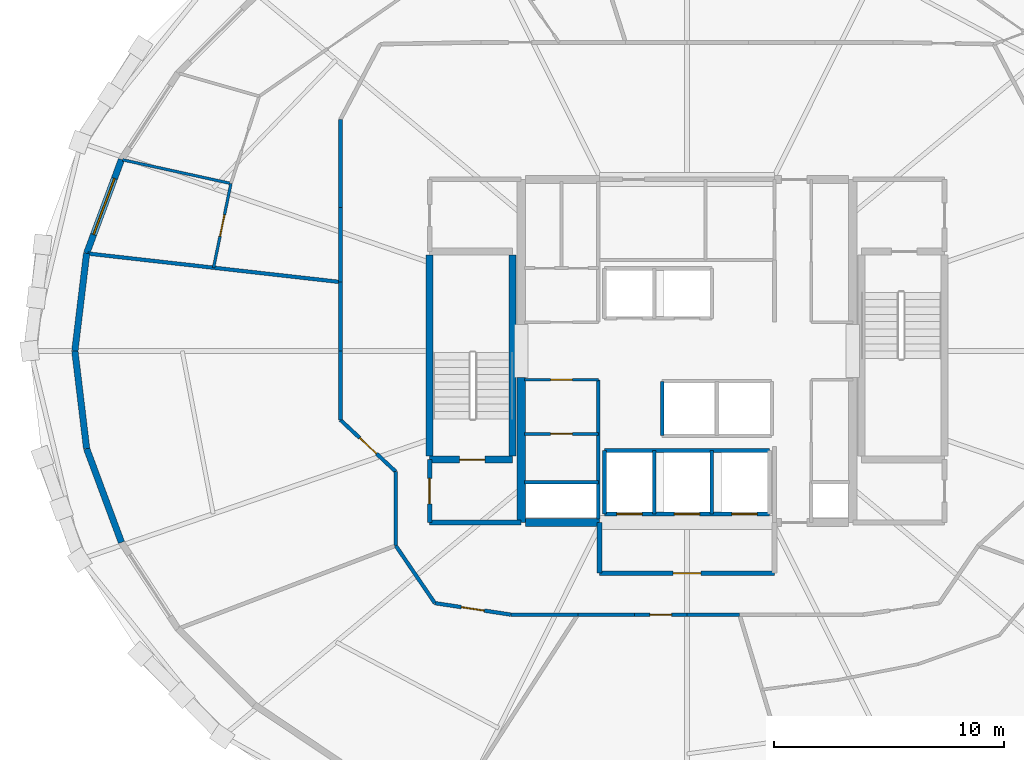
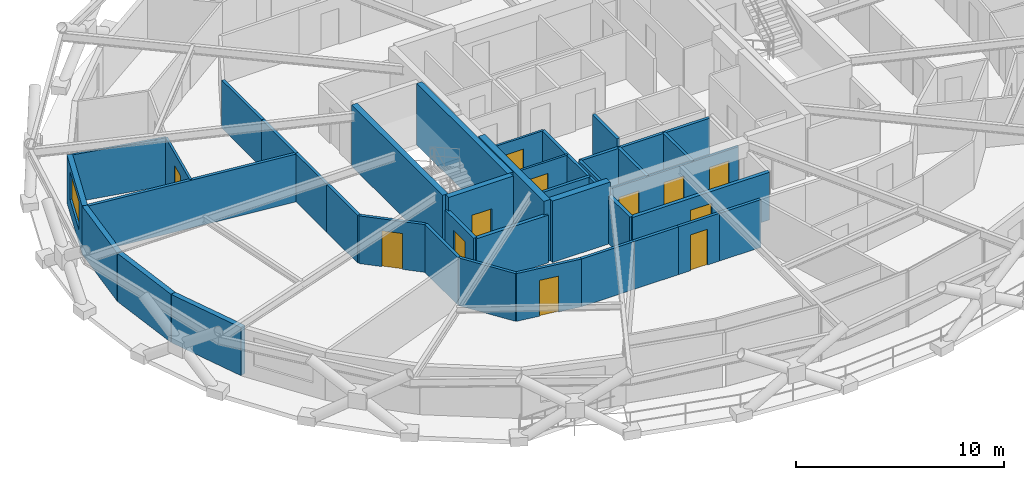
# One storey, part 13 of 20: 38 walls, 12 doors, 1 window, 13 openings.
"""IFC4 building model written with IfcOpenShell, lengths in metres."""

from ifc_helpers import new_model, si_unit, direction, frame, frame_2d, origin, place, context, subcontext, project, spatial, rectangle, extrude, material, layer, layer_set, type_object, element, fill, save


model = new_model("IFC4")

# Units and contexts
model_context = context("Model", 3, precision=1e-05, world=origin(), true_north=direction((0.0, 1.0)))
body_context = subcontext(model_context, "Body", "Model", "MODEL_VIEW")
ifc_project = project(units=[si_unit("LENGTHUNIT", "METRE"), si_unit("AREAUNIT", "SQUARE_METRE"), si_unit("VOLUMEUNIT", "CUBIC_METRE"), si_unit("PLANEANGLEUNIT", "RADIAN"), si_unit("MASSUNIT", "GRAM", prefix="KILO")], contexts=[model_context])

# Site, building, storey
site_placement = place(None, origin())
site = spatial("IfcSite", under=ifc_project, at=site_placement, CompositionType="ELEMENT")
building_placement = place(site_placement, origin())
building = spatial("IfcBuilding", under=site, at=building_placement, Name="Veldorina Hangang Commons", CompositionType="ELEMENT")
storey_placement = place(building_placement, frame((0.0, 0.0, 131.60009765625)))
storey = spatial("IfcBuildingStorey", under=building, at=storey_placement, Name="L33", CompositionType="ELEMENT", Elevation=131.60009765625)

# Walls
ifc_material_1 = material(Name="Concrete C60/75", Category="concrete")
ifc_layer_1 = layer(ifc_material_1, 0.360107421875)
ifc_layer_set_1 = layer_set([ifc_layer_1], Name="Concrete C60/75")
wall_type_1 = type_object("IfcWallType", Name="CW-RC360-C60", PredefinedType="SHEAR", material=ifc_layer_set_1)
wall_1_placement = place(storey_placement, frame((24.800048828125, 16.550048828125, 0.0), z_axis=(0.0, 0.0, 1.0), x_axis=(0.0, 1.0, 0.0)))
element("IfcWall", 1, at=wall_1_placement, inside=storey, type_object=wall_type_1, Name="L33 W south core shear wall", PredefinedType="SHEAR", context=body_context, shape_type="SweptSolid", body=[
    extrude(rectangle(XDim=6.300048828125, YDim=0.360107421875, at=frame_2d((3.14990234375, 0.0))), origin(), (0.0, 0.0, 1.0), 3.599853515625),
])
wall_2_placement = place(storey_placement, frame((24.97998046875, 16.550048828125, 0.0), z_axis=(0.0, 0.0, 1.0), x_axis=(1.0, 0.0, 0.0)))
element("IfcWall", 2, at=wall_2_placement, inside=storey, type_object=wall_type_1, Name="L33 south-west core shear wall", PredefinedType="SHEAR", context=body_context, shape_type="SweptSolid", body=[
    extrude(rectangle(XDim=3.219970703125, YDim=0.360107421875, at=frame_2d((1.60986328125, 0.0))), origin(), (0.0, 0.0, 1.0), 3.599853515625),
])

# Wall, opening, window
ifc_material_2 = material(Name="Stone Roman Travertine", Category="masonry")
ifc_layer_2 = layer(ifc_material_2, 0.280029296875)
ifc_layer_set_2 = layer_set([ifc_layer_2], Name="Stone Roman Travertine")
wall_type_2 = type_object("IfcWallType", Name="EW-TRAV-280", PredefinedType="STANDARD", material=ifc_layer_set_2)
wall_3_placement = place(storey_placement, frame((7.43994140625, 32.31201171875, 0.0), z_axis=(0.0, 0.0, 1.0), x_axis=(-0.348099086438, -0.937457746259, 0.0)))
wall_3 = element("IfcWall", 3, at=wall_3_placement, inside=storey, type_object=wall_type_2, Name="L33 travertine facade wall 14", PredefinedType="STANDARD", context=body_context, shape_type="SweptSolid", body=[
    extrude(rectangle(XDim=4.34619140625, YDim=0.280029296875, at=frame_2d((2.173095703125, 0.0))), origin(), (0.0, 0.0, 1.0), 2.81982421875),
])
opening_1_placement = place(wall_3_placement, frame((0.873291015625, 0.0, 0.800048828125)))
opening_1 = element("IfcOpeningElement", 4, at=opening_1_placement, cuts=wall_3, Name="Opening W-02", PredefinedType="OPENING", context=body_context, shape_type="SweptSolid", body=[
    extrude(rectangle(XDim=2.60009765625, YDim=1.64990234375, at=frame_2d((1.300048828125, 0.824951171875))), frame((0.0, 0.14990234375, 0.0), z_axis=(0.0, -1.0, 0.0), x_axis=(1.0, 0.0, 0.0)), (0.0, 0.0, 1.0), 0.300048828125),
])
ifc_material_3 = material(Name="Glass Low-E Triple IGU", Category="glass")
window_type = type_object("IfcWindowType", Name="WIN-TWR-2600", PartitioningType="SINGLE_PANEL", PredefinedType="WINDOW", material=ifc_material_3)
window_placement = place(opening_1_placement, origin())
window = element("IfcWindow", 5, at=window_placement, inside=storey, type_object=window_type, Name="L33 facade window 14", OverallHeight=1.64990234375, OverallWidth=2.60009765625, PartitioningType="SINGLE_PANEL", PredefinedType="WINDOW", context=body_context, shape_type="SweptSolid", body=[
    extrude(rectangle(XDim=2.60009765625, YDim=1.64990234375, at=frame_2d((1.300048828125, 0.824951171875))), frame((0.0, 0.030029296875, 0.0), z_axis=(0.0, -1.0, 0.0), x_axis=(1.0, 0.0, 0.0)), (0.0, 0.0, 1.0), 0.06005859375),
])
fill(opening_1, window)

# Walls
for number, where, z_axis, x_axis, name in (
    (6, (5.927001953125, 28.237548828125, 0.0), (0.0, 0.0, 1.0), (-0.119661715739, -0.992814722789, 0.0), "L33 travertine facade wall 15"),
    (7, (5.416259765625, 24.0, 0.0), (0.0, 0.0, 1.0), (0.119661715739, -0.992814722789, 0.0), "L33 travertine facade wall 16"),
):
    element("IfcWall", number, at=place(storey_placement, frame(where, z_axis=z_axis, x_axis=x_axis)), inside=storey, type_object=wall_type_2, Name=name, PredefinedType="STANDARD", context=body_context, shape_type="SweptSolid", body=[
        extrude(rectangle(XDim=4.268310546875, YDim=0.280029296875, at=frame_2d((2.13427734375, 0.0))), origin(), (0.0, 0.0, 1.0), 2.81982421875),
    ])
wall_4_placement = place(storey_placement, frame((5.927001953125, 19.762451171875, 0.0), z_axis=(0.0, 0.0, 1.0), x_axis=(0.348099086438, -0.937457746259, 0.0)))
element("IfcWall", 8, at=wall_4_placement, inside=storey, type_object=wall_type_2, Name="L33 travertine facade wall 17", PredefinedType="STANDARD", context=body_context, shape_type="SweptSolid", body=[
    extrude(rectangle(XDim=4.34619140625, YDim=0.280029296875, at=frame_2d((2.173095703125, 0.0))), origin(), (0.0, 0.0, 1.0), 2.81982421875),
])
ifc_material_4 = material(Name="Concrete C50/60", Category="concrete")
ifc_layer_3 = layer(ifc_material_4, 0.300048828125)
ifc_layer_set_3 = layer_set([ifc_layer_3], Name="Concrete C50/60")
wall_type_3 = type_object("IfcWallType", Name="SW-STAIR-300", PredefinedType="SHEAR", material=ifc_layer_set_3)
for number, where, z_axis, x_axis, name in (
    (9, (20.820068359375, 19.429931640625, 0.0), (0.0, 0.0, 1.0), (0.0, 1.0, 0.0), "L33 ST1 outer stair shear wall"),
    (10, (24.419921875, 19.429931640625, 0.0), (0.0, 0.0, 1.0), (0.0, 1.0, 0.0), "L33 ST1 inner stair shear wall"),
):
    element("IfcWall", number, at=place(storey_placement, frame(where, z_axis=z_axis, x_axis=x_axis)), inside=storey, type_object=wall_type_3, Name=name, PredefinedType="SHEAR", context=body_context, shape_type="SweptSolid", body=[
        extrude(rectangle(XDim=8.739990234375, YDim=0.300048828125, at=frame_2d((4.3701171875, 0.0))), origin(), (0.0, 0.0, 1.0), 3.599853515625),
    ])

# Wall, opening, door
wall_5_placement = place(storey_placement, frame((20.820068359375, 19.280029296875, 0.0), z_axis=(0.0, 0.0, 1.0), x_axis=(1.0, 0.0, 0.0)))
wall_5 = element("IfcWall", 11, at=wall_5_placement, inside=storey, type_object=wall_type_3, Name="L33 ST1 south stair shear wall", PredefinedType="SHEAR", context=body_context, shape_type="SweptSolid", body=[
    extrude(rectangle(XDim=3.599853515625, YDim=0.300048828125, at=frame_2d((1.7998046875, 0.0))), origin(), (0.0, 0.0, 1.0), 3.599853515625),
])
opening_2_placement = place(wall_5_placement, frame((1.300048828125, 0.0, 0.0)))
opening_2 = element("IfcOpeningElement", 12, at=opening_2_placement, cuts=wall_5, Name="Opening D-08", PredefinedType="OPENING", context=body_context, shape_type="SweptSolid", body=[
    extrude(rectangle(XDim=1.10009765625, YDim=2.10009765625, at=frame_2d((0.550048828125, 1.050048828125))), frame((0.0, 0.16015625, 0.0), z_axis=(0.0, -1.0, 0.0), x_axis=(1.0, 0.0, 0.0)), (0.0, 0.0, 1.0), 0.320068359375),
])
ifc_material_5 = material(Name="Steel Fire-Rated Smoke Seal", Category="steel")
door_type_1 = type_object("IfcDoorType", Name="DR-FIRE-1100", OperationType="SINGLE_SWING_RIGHT", PredefinedType="DOOR", material=ifc_material_5)
door_1_placement = place(opening_2_placement, origin())
door_1 = element("IfcDoor", 13, at=door_1_placement, inside=storey, type_object=door_type_1, Name="L33 Special Escape Stair ST-1 door", OperationType="SINGLE_SWING_LEFT", OverallHeight=2.10009765625, OverallWidth=1.10009765625, PredefinedType="DOOR", context=body_context, shape_type="SweptSolid", body=[
    extrude(rectangle(XDim=1.10009765625, YDim=2.10009765625, at=frame_2d((0.550048828125, 1.050048828125))), frame((0.0, 0.02490234375, 0.0), z_axis=(0.0, -1.0, 0.0), x_axis=(1.0, 0.0, 0.0)), (0.0, 0.0, 1.0), 0.050048828125),
])
fill(opening_2, door_1)

# Wall
ifc_material_6 = material(Name="Gypsum Fire-Rated Twin Stud Wall", Category="gypsum")
ifc_layer_4 = layer(ifc_material_6, 0.159912109375)
ifc_layer_set_4 = layer_set([ifc_layer_4], Name="Gypsum Fire-Rated Twin Stud Wall")
wall_type_4 = type_object("IfcWallType", Name="WL-FIRE-160", PredefinedType="SOLIDWALL", material=ifc_layer_set_4)
wall_6_placement = place(storey_placement, frame((30.919921875, 20.320068359375, 0.0), z_axis=(0.0, 0.0, 1.0), x_axis=(0.0, 1.0, 0.0)))
element("IfcWall", 14, at=wall_6_placement, inside=storey, type_object=wall_type_4, Name="L33 SL-1 west shaft wall 022", PredefinedType="SOLIDWALL", context=body_context, shape_type="SweptSolid", body=[
    extrude(rectangle(XDim=2.35986328125, YDim=0.159912109375, at=frame_2d((1.179931640625, 0.0))), origin(), (0.0, 0.0, 1.0), 2.7998046875),
])

# Wall, openings, doors
wall_7_placement = place(storey_placement, frame((28.419921875, 16.919921875, 0.0), z_axis=(0.0, 0.0, 1.0), x_axis=(1.0, 0.0, 0.0)))
wall_7 = element("IfcWall", 15, at=wall_7_placement, inside=storey, type_object=wall_type_4, Name="L33 Emergency front shaft wall 025", PredefinedType="SOLIDWALL", context=body_context, shape_type="SweptSolid", body=[
    extrude(rectangle(XDim=7.16015625, YDim=0.159912109375, at=frame_2d((3.580078125, 0.0))), origin(), (0.0, 0.0, 1.0), 2.7998046875),
])
opening_3_placement = place(wall_7_placement, frame((0.530029296875, 0.0, 0.0)))
opening_3 = element("IfcOpeningElement", 16, at=opening_3_placement, cuts=wall_7, Name="Opening LD-03", PredefinedType="OPENING", context=body_context, shape_type="SweptSolid", body=[
    extrude(rectangle(XDim=1.10009765625, YDim=2.14990234375, at=frame_2d((0.550048828125, 1.074951171875))), frame((0.0, 0.08984375, 0.0), z_axis=(0.0, -1.0, 0.0), x_axis=(1.0, 0.0, 0.0)), (0.0, 0.0, 1.0), 0.179931640625),
])
opening_4_placement = place(wall_7_placement, frame((3.030029296875, 0.0, 0.0)))
opening_4 = element("IfcOpeningElement", 17, at=opening_4_placement, cuts=wall_7, Name="Opening LD-03", PredefinedType="OPENING", context=body_context, shape_type="SweptSolid", body=[
    extrude(rectangle(XDim=1.10009765625, YDim=2.14990234375, at=frame_2d((0.550048828125, 1.074951171875))), frame((0.0, 0.08984375, 0.0), z_axis=(0.0, -1.0, 0.0), x_axis=(1.0, 0.0, 0.0)), (0.0, 0.0, 1.0), 0.179931640625),
])
opening_5_placement = place(wall_7_placement, frame((5.530029296875, 0.0, 0.0)))
opening_5 = element("IfcOpeningElement", 18, at=opening_5_placement, cuts=wall_7, Name="Opening LD-03", PredefinedType="OPENING", context=body_context, shape_type="SweptSolid", body=[
    extrude(rectangle(XDim=1.10009765625, YDim=2.14990234375, at=frame_2d((0.550048828125, 1.074951171875))), frame((0.0, 0.08984375, 0.0), z_axis=(0.0, -1.0, 0.0), x_axis=(1.0, 0.0, 0.0)), (0.0, 0.0, 1.0), 0.179931640625),
])
ifc_material_7 = material(Name="Stainless Steel Firefighting Lift Door", Category="steel")
door_type_2 = type_object("IfcDoorType", Name="DR-LIFT-FF1100", OperationType="SLIDING_TO_RIGHT", PredefinedType="DOOR", material=ifc_material_7)
door_2_placement = place(opening_3_placement, origin())
door_2 = element("IfcDoor", 19, at=door_2_placement, inside=storey, type_object=door_type_2, Name="L33 Emergency lift FFL-1 landing door 008", OperationType="SLIDING_TO_RIGHT", OverallHeight=2.14990234375, OverallWidth=1.10009765625, PredefinedType="DOOR", context=body_context, shape_type="SweptSolid", body=[
    extrude(rectangle(XDim=1.10009765625, YDim=2.14990234375, at=frame_2d((0.550048828125, 1.074951171875))), frame((0.0, 0.02490234375, 0.0), z_axis=(0.0, -1.0, 0.0), x_axis=(1.0, 0.0, 0.0)), (0.0, 0.0, 1.0), 0.050048828125),
])
fill(opening_3, door_2)
door_3_placement = place(opening_4_placement, origin())
door_3 = element("IfcDoor", 20, at=door_3_placement, inside=storey, type_object=door_type_2, Name="L33 Emergency lift FFL-2 landing door 009", OperationType="SLIDING_TO_RIGHT", OverallHeight=2.14990234375, OverallWidth=1.10009765625, PredefinedType="DOOR", context=body_context, shape_type="SweptSolid", body=[
    extrude(rectangle(XDim=1.10009765625, YDim=2.14990234375, at=frame_2d((0.550048828125, 1.074951171875))), frame((0.0, 0.02490234375, 0.0), z_axis=(0.0, -1.0, 0.0), x_axis=(1.0, 0.0, 0.0)), (0.0, 0.0, 1.0), 0.050048828125),
])
fill(opening_4, door_3)
door_4_placement = place(opening_5_placement, origin())
door_4 = element("IfcDoor", 21, at=door_4_placement, inside=storey, type_object=door_type_2, Name="L33 Emergency lift EVL-1 landing door 010", OperationType="SLIDING_TO_RIGHT", OverallHeight=2.14990234375, OverallWidth=1.10009765625, PredefinedType="DOOR", context=body_context, shape_type="SweptSolid", body=[
    extrude(rectangle(XDim=1.10009765625, YDim=2.14990234375, at=frame_2d((0.550048828125, 1.074951171875))), frame((0.0, 0.02490234375, 0.0), z_axis=(0.0, -1.0, 0.0), x_axis=(1.0, 0.0, 0.0)), (0.0, 0.0, 1.0), 0.050048828125),
])
fill(opening_5, door_4)

# Walls
wall_8_placement = place(storey_placement, frame((28.419921875, 19.679931640625, 0.0), z_axis=(0.0, 0.0, 1.0), x_axis=(1.0, 0.0, 0.0)))
element("IfcWall", 22, at=wall_8_placement, inside=storey, type_object=wall_type_4, Name="L33 Emergency rear shaft wall 026", PredefinedType="SOLIDWALL", context=body_context, shape_type="SweptSolid", body=[
    extrude(rectangle(XDim=7.16015625, YDim=0.159912109375, at=frame_2d((3.580078125, 0.0))), origin(), (0.0, 0.0, 1.0), 2.7998046875),
])
for number, where, z_axis, x_axis, name in (
    (23, (28.419921875, 16.919921875, 0.0), (0.0, 0.0, 1.0), (0.0, 1.0, 0.0), "L33 FFL-1 west shaft wall 027"),
    (24, (30.580078125, 16.919921875, 0.0), (0.0, 0.0, 1.0), (0.0, 1.0, 0.0), "L33 FFL-1 east shaft wall 028"),
    (25, (33.080078125, 16.919921875, 0.0), (0.0, 0.0, 1.0), (0.0, 1.0, 0.0), "L33 FFL-2 east shaft wall 029"),
):
    element("IfcWall", number, at=place(storey_placement, frame(where, z_axis=z_axis, x_axis=x_axis)), inside=storey, type_object=wall_type_4, Name=name, PredefinedType="SOLIDWALL", context=body_context, shape_type="SweptSolid", body=[
        extrude(rectangle(XDim=2.760009765625, YDim=0.159912109375, at=frame_2d((1.3798828125, 0.0))), origin(), (0.0, 0.0, 1.0), 2.7998046875),
    ])
wall_9_placement = place(storey_placement, frame((24.949951171875, 18.300048828125, 0.0), z_axis=(0.0, 0.0, 1.0), x_axis=(1.0, 0.0, 0.0)))
element("IfcWall", 26, at=wall_9_placement, inside=storey, type_object=wall_type_4, Name="L33 Electrical riser wall 035", PredefinedType="SOLIDWALL", context=body_context, shape_type="SweptSolid", body=[
    extrude(rectangle(XDim=3.199951171875, YDim=0.159912109375, at=frame_2d((1.60009765625, 0.0))), origin(), (0.0, 0.0, 1.0), 2.7998046875),
])
wall_10_placement = place(storey_placement, frame((28.14990234375, 16.699951171875, 0.0), z_axis=(0.0, 0.0, 1.0), x_axis=(0.0, 1.0, 0.0)))
element("IfcWall", 27, at=wall_10_placement, inside=storey, type_object=wall_type_4, Name="L33 SW core inner wall 036", PredefinedType="SOLIDWALL", context=body_context, shape_type="SweptSolid", body=[
    extrude(rectangle(XDim=6.050048828125, YDim=0.159912109375, at=frame_2d((3.02490234375, 0.0))), origin(), (0.0, 0.0, 1.0), 2.7998046875),
])
wall_11_placement = place(storey_placement, frame((16.949951171875, 34.05615234375, 0.0), z_axis=(0.0, 0.0, 1.0), x_axis=(0.0, -1.0, 0.0)))
element("IfcWall", 28, at=wall_11_placement, inside=storey, type_object=wall_type_4, Name="L33 U-corridor outer wall 13 061", PredefinedType="SOLIDWALL", context=body_context, shape_type="SweptSolid", body=[
    extrude(rectangle(XDim=3.822265625, YDim=0.159912109375, at=frame_2d((1.9111328125, 0.0))), origin(), (0.0, 0.0, 1.0), 2.7998046875),
])
wall_12_placement = place(storey_placement, frame((16.949951171875, 30.23388671875, 0.0), z_axis=(0.0, 0.0, 1.0), x_axis=(0.0, -1.0, 0.0)))
element("IfcWall", 29, at=wall_12_placement, inside=storey, type_object=wall_type_4, Name="L33 U-corridor outer wall 14 062", PredefinedType="SOLIDWALL", context=body_context, shape_type="SweptSolid", body=[
    extrude(rectangle(XDim=3.240234375, YDim=0.159912109375, at=frame_2d((1.6201171875, 0.0))), origin(), (0.0, 0.0, 1.0), 2.7998046875),
])
for number, where, z_axis, x_axis, name in (
    (30, (16.949951171875, 26.99365234375, 0.0), (0.0, 0.0, 1.0), (0.0, -1.0, 0.0), "L33 U-corridor outer wall 15 063"),
    (31, (16.949951171875, 24.0, 0.0), (0.0, 0.0, 1.0), (0.0, -1.0, 0.0), "L33 U-corridor outer wall 16 064"),
):
    element("IfcWall", number, at=place(storey_placement, frame(where, z_axis=z_axis, x_axis=x_axis)), inside=storey, type_object=wall_type_4, Name=name, PredefinedType="SOLIDWALL", context=body_context, shape_type="SweptSolid", body=[
        extrude(rectangle(XDim=2.99365234375, YDim=0.159912109375, at=frame_2d((1.496826171875, 0.0))), origin(), (0.0, 0.0, 1.0), 2.7998046875),
    ])

# Wall, opening, door
wall_13_placement = place(storey_placement, frame((16.949951171875, 21.00634765625, 0.0), z_axis=(0.0, 0.0, 1.0), x_axis=(0.730150682073, -0.683286163674, 0.0)))
wall_13 = element("IfcWall", 32, at=wall_13_placement, inside=storey, type_object=wall_type_4, Name="L33 U-corridor outer wall 17 065", PredefinedType="SOLIDWALL", context=body_context, shape_type="SweptSolid", body=[
    extrude(rectangle(XDim=3.287109375, YDim=0.159912109375, at=frame_2d((1.6435546875, 0.0))), origin(), (0.0, 0.0, 1.0), 2.7998046875),
])
opening_6_placement = place(wall_13_placement, frame((1.1435546875, 0.0, 0.0)))
opening_6 = element("IfcOpeningElement", 33, at=opening_6_placement, cuts=wall_13, Name="Opening D-05", PredefinedType="OPENING", context=body_context, shape_type="SweptSolid", body=[
    extrude(rectangle(XDim=1.0, YDim=2.10009765625, at=frame_2d((0.5, 1.050048828125))), frame((0.0, 0.08984375, 0.0), z_axis=(0.0, -1.0, 0.0), x_axis=(1.0, 0.0, 0.0)), (0.0, 0.0, 1.0), 0.179931640625),
])
ifc_material_8 = material(Name="Timber Solid Core Acoustic", Category="wood")
door_type_3 = type_object("IfcDoorType", Name="DR-INT-1000", OperationType="SINGLE_SWING_RIGHT", PredefinedType="DOOR", material=ifc_material_8)
door_5_placement = place(opening_6_placement, origin())
door_5 = element("IfcDoor", 34, at=door_5_placement, inside=storey, type_object=door_type_3, Name="L33 Floor Study Room 5 door 042", OperationType="SINGLE_SWING_RIGHT", OverallHeight=2.10009765625, OverallWidth=1.0, PredefinedType="DOOR", context=body_context, shape_type="SweptSolid", body=[
    extrude(rectangle(XDim=1.0, YDim=2.10009765625, at=frame_2d((0.5, 1.050048828125))), frame((0.0, 0.02490234375, 0.0), z_axis=(0.0, -1.0, 0.0), x_axis=(1.0, 0.0, 0.0)), (0.0, 0.0, 1.0), 0.050048828125),
])
fill(opening_6, door_5)

# Walls
wall_14_placement = place(storey_placement, frame((19.35009765625, 18.76025390625, 0.0), z_axis=(0.0, 0.0, 1.0), x_axis=(0.0, -1.0, 0.0)))
element("IfcWall", 35, at=wall_14_placement, inside=storey, type_object=wall_type_4, Name="L33 U-corridor outer wall 18 066", PredefinedType="SOLIDWALL", context=body_context, shape_type="SweptSolid", body=[
    extrude(rectangle(XDim=3.212646484375, YDim=0.159912109375, at=frame_2d((1.6064453125, 0.0))), origin(), (0.0, 0.0, 1.0), 2.7998046875),
])
wall_15_placement = place(storey_placement, frame((19.35009765625, 15.547607421875, 0.0), z_axis=(0.0, 0.0, 1.0), x_axis=(0.562674669208, -0.826678423955, 0.0)))
element("IfcWall", 36, at=wall_15_placement, inside=storey, type_object=wall_type_4, Name="L33 U-corridor outer wall 19 067", PredefinedType="SOLIDWALL", context=body_context, shape_type="SweptSolid", body=[
    extrude(rectangle(XDim=3.021240234375, YDim=0.159912109375, at=frame_2d((1.5107421875, 0.0))), origin(), (0.0, 0.0, 1.0), 2.7998046875),
])

# Wall, opening, door
wall_16_placement = place(storey_placement, frame((21.050048828125, 13.050048828125, 0.0), z_axis=(0.0, 0.0, 1.0), x_axis=(0.988710906508, -0.149835721217, 0.0)))
wall_16 = element("IfcWall", 37, at=wall_16_placement, inside=storey, type_object=wall_type_4, Name="L33 U-corridor outer wall 20 068", PredefinedType="SOLIDWALL", context=body_context, shape_type="SweptSolid", body=[
    extrude(rectangle(XDim=3.3369140625, YDim=0.159912109375, at=frame_2d((1.66845703125, 0.0))), origin(), (0.0, 0.0, 1.0), 2.7998046875),
])
opening_7_placement = place(wall_16_placement, frame((1.16845703125, 0.0, 0.0)))
opening_7 = element("IfcOpeningElement", 38, at=opening_7_placement, cuts=wall_16, Name="Opening D-05", PredefinedType="OPENING", context=body_context, shape_type="SweptSolid", body=[
    extrude(rectangle(XDim=1.0, YDim=2.10009765625, at=frame_2d((0.5, 1.050048828125))), frame((0.0, 0.08984375, 0.0), z_axis=(0.0, -1.0, 0.0), x_axis=(1.0, 0.0, 0.0)), (0.0, 0.0, 1.0), 0.179931640625),
])
door_6_placement = place(opening_7_placement, origin())
door_6 = element("IfcDoor", 39, at=door_6_placement, inside=storey, type_object=door_type_3, Name="L33 Seminar Focus Room 6 door 043", OperationType="SINGLE_SWING_LEFT", OverallHeight=2.10009765625, OverallWidth=1.0, PredefinedType="DOOR", context=body_context, shape_type="SweptSolid", body=[
    extrude(rectangle(XDim=1.0, YDim=2.10009765625, at=frame_2d((0.5, 1.050048828125))), frame((0.0, 0.02490234375, 0.0), z_axis=(0.0, -1.0, 0.0), x_axis=(1.0, 0.0, 0.0)), (0.0, 0.0, 1.0), 0.050048828125),
])
fill(opening_7, door_6)

# Walls
wall_17_placement = place(storey_placement, frame((24.349365234375, 12.550048828125, 0.0), z_axis=(0.0, 0.0, 1.0), x_axis=(1.0, 0.0, 0.0)))
element("IfcWall", 40, at=wall_17_placement, inside=storey, type_object=wall_type_4, Name="L33 U-corridor outer wall 21 069", PredefinedType="SOLIDWALL", context=body_context, shape_type="SweptSolid", body=[
    extrude(rectangle(XDim=2.907958984375, YDim=0.159912109375, at=frame_2d((1.4541015625, 0.0))), origin(), (0.0, 0.0, 1.0), 2.7998046875),
])
wall_18_placement = place(storey_placement, frame((27.25732421875, 12.550048828125, 0.0), z_axis=(0.0, 0.0, 1.0), x_axis=(1.0, 0.0, 0.0)))
element("IfcWall", 41, at=wall_18_placement, inside=storey, type_object=wall_type_4, Name="L33 U-corridor outer wall 22 070", PredefinedType="SOLIDWALL", context=body_context, shape_type="SweptSolid", body=[
    extrude(rectangle(XDim=2.465087890625, YDim=0.159912109375, at=frame_2d((1.232421875, 0.0))), origin(), (0.0, 0.0, 1.0), 2.7998046875),
])

# Wall, opening, door
wall_19_placement = place(storey_placement, frame((29.722412109375, 12.550048828125, 0.0), z_axis=(0.0, 0.0, 1.0), x_axis=(1.0, 0.0, 0.0)))
wall_19 = element("IfcWall", 42, at=wall_19_placement, inside=storey, type_object=wall_type_4, Name="L33 U-corridor outer wall 23 071", PredefinedType="SOLIDWALL", context=body_context, shape_type="SweptSolid", body=[
    extrude(rectangle(XDim=2.277587890625, YDim=0.159912109375, at=frame_2d((1.138671875, 0.0))), origin(), (0.0, 0.0, 1.0), 2.7998046875),
])
opening_8_placement = place(wall_19_placement, frame((0.663818359375, 0.0, 0.0)))
opening_8 = element("IfcOpeningElement", 43, at=opening_8_placement, cuts=wall_19, Name="Opening D-02", PredefinedType="OPENING", context=body_context, shape_type="SweptSolid", body=[
    extrude(rectangle(XDim=0.949951171875, YDim=2.10009765625, at=frame_2d((0.47509765625, 1.050048828125))), frame((0.0, 0.08984375, 0.0), z_axis=(0.0, -1.0, 0.0), x_axis=(1.0, 0.0, 0.0)), (0.0, 0.0, 1.0), 0.179931640625),
])
door_type_4 = type_object("IfcDoorType", Name="DR-INT-950", OperationType="SINGLE_SWING_LEFT", PredefinedType="DOOR", material=ifc_material_8)
door_7_placement = place(opening_8_placement, origin())
door_7 = element("IfcDoor", 44, at=door_7_placement, inside=storey, type_object=door_type_4, Name="L33 Linen drying store door 044", OperationType="SINGLE_SWING_RIGHT", OverallHeight=2.10009765625, OverallWidth=0.949951171875, PredefinedType="DOOR", context=body_context, shape_type="SweptSolid", body=[
    extrude(rectangle(XDim=0.949951171875, YDim=2.10009765625, at=frame_2d((0.47509765625, 1.050048828125))), frame((0.0, 0.02490234375, 0.0), z_axis=(0.0, -1.0, 0.0), x_axis=(1.0, 0.0, 0.0)), (0.0, 0.0, 1.0), 0.050048828125),
])
fill(opening_8, door_7)

# Walls
wall_20_placement = place(storey_placement, frame((32.0, 12.550048828125, 0.0), z_axis=(0.0, 0.0, 1.0), x_axis=(1.0, 0.0, 0.0)))
element("IfcWall", 45, at=wall_20_placement, inside=storey, type_object=wall_type_4, Name="L33 U-corridor outer wall 24 072", PredefinedType="SOLIDWALL", context=body_context, shape_type="SweptSolid", body=[
    extrude(rectangle(XDim=2.277587890625, YDim=0.159912109375, at=frame_2d((1.138671875, 0.0))), origin(), (0.0, 0.0, 1.0), 2.7998046875),
])
wall_21_placement = place(storey_placement, frame((16.949951171875, 26.99365234375, 0.0), z_axis=(0.0, 0.0, 1.0), x_axis=(-0.993693003729, 0.112134804319, 0.0)))
element("IfcWall", 46, at=wall_21_placement, inside=storey, type_object=wall_type_4, Name="L33 Unit party wall 15 119", PredefinedType="SOLIDWALL", context=body_context, shape_type="SweptSolid", body=[
    extrude(rectangle(XDim=11.042724609375, YDim=0.159912109375, at=frame_2d((5.521484375, 0.0))), origin(), (0.0, 0.0, 1.0), 2.7998046875),
])

# Wall, opening, door
ifc_material_9 = material(Name="Concrete Blockwork Fire Wall C30/37", Category="masonry")
ifc_layer_5 = layer(ifc_material_9, 0.199951171875)
ifc_layer_set_5 = layer_set([ifc_layer_5], Name="Concrete Blockwork Fire Wall C30/37")
wall_type_5 = type_object("IfcWallType", Name="WL-FIRE-200", PredefinedType="SOLIDWALL", material=ifc_layer_set_5)
wall_22_placement = place(storey_placement, frame((20.820068359375, 16.550048828125, 0.0), z_axis=(0.0, 0.0, 1.0), x_axis=(0.0, 1.0, 0.0)))
wall_22 = element("IfcWall", 47, at=wall_22_placement, inside=storey, type_object=wall_type_5, Name="L33 West vestibule outer wall 001", PredefinedType="SOLIDWALL", context=body_context, shape_type="SweptSolid", body=[
    extrude(rectangle(XDim=2.72998046875, YDim=0.199951171875, at=frame_2d((1.364990234375, 0.0))), origin(), (0.0, 0.0, 1.0), 2.7998046875),
])
opening_9_placement = place(wall_22_placement, frame((0.81494140625, 0.0, 0.0)))
opening_9 = element("IfcOpeningElement", 48, at=opening_9_placement, cuts=wall_22, Name="Opening D-08", PredefinedType="OPENING", context=body_context, shape_type="SweptSolid", body=[
    extrude(rectangle(XDim=1.10009765625, YDim=2.10009765625, at=frame_2d((0.550048828125, 1.050048828125))), frame((0.0, 0.10986328125, 0.0), z_axis=(0.0, -1.0, 0.0), x_axis=(1.0, 0.0, 0.0)), (0.0, 0.0, 1.0), 0.219970703125),
])
door_8_placement = place(opening_9_placement, origin())
door_8 = element("IfcDoor", 49, at=door_8_placement, inside=storey, type_object=door_type_1, Name="L33 West vestibule west door 001", OperationType="SINGLE_SWING_LEFT", OverallHeight=2.10009765625, OverallWidth=1.10009765625, PredefinedType="DOOR", context=body_context, shape_type="SweptSolid", body=[
    extrude(rectangle(XDim=1.10009765625, YDim=2.10009765625, at=frame_2d((0.550048828125, 1.050048828125))), frame((0.0, 0.02490234375, 0.0), z_axis=(0.0, -1.0, 0.0), x_axis=(1.0, 0.0, 0.0)), (0.0, 0.0, 1.0), 0.050048828125),
])
fill(opening_9, door_8)

# Walls
wall_23_placement = place(storey_placement, frame((20.820068359375, 16.550048828125, 0.0), z_axis=(0.0, 0.0, 1.0), x_axis=(1.0, 0.0, 0.0)))
element("IfcWall", 50, at=wall_23_placement, inside=storey, type_object=wall_type_5, Name="L33 West vestibule south wall 002", PredefinedType="SOLIDWALL", context=body_context, shape_type="SweptSolid", body=[
    extrude(rectangle(XDim=3.97998046875, YDim=0.199951171875, at=frame_2d((1.989990234375, 0.0))), origin(), (0.0, 0.0, 1.0), 2.7998046875),
])
wall_24_placement = place(storey_placement, frame((28.199951171875, 14.35009765625, 0.0), z_axis=(0.0, 0.0, 1.0), x_axis=(0.0, 1.0, 0.0)))
element("IfcWall", 51, at=wall_24_placement, inside=storey, type_object=wall_type_5, Name="L33 FF lobby west wall 012", PredefinedType="SOLIDWALL", context=body_context, shape_type="SweptSolid", body=[
    extrude(rectangle(XDim=2.199951171875, YDim=0.199951171875, at=frame_2d((1.10009765625, 0.0))), origin(), (0.0, 0.0, 1.0), 2.7998046875),
])

# Wall, opening, door
wall_25_placement = place(storey_placement, frame((28.199951171875, 14.35009765625, 0.0), z_axis=(0.0, 0.0, 1.0), x_axis=(1.0, 0.0, 0.0)))
wall_25 = element("IfcWall", 52, at=wall_25_placement, inside=storey, type_object=wall_type_5, Name="L33 FF lobby south wall 014", PredefinedType="SOLIDWALL", context=body_context, shape_type="SweptSolid", body=[
    extrude(rectangle(XDim=7.60009765625, YDim=0.199951171875, at=frame_2d((3.800048828125, 0.0))), origin(), (0.0, 0.0, 1.0), 2.7998046875),
])
opening_10_placement = place(wall_25_placement, frame((3.199951171875, 0.0, 0.0)))
opening_10 = element("IfcOpeningElement", 53, at=opening_10_placement, cuts=wall_25, Name="Opening D-09", PredefinedType="OPENING", context=body_context, shape_type="SweptSolid", body=[
    extrude(rectangle(XDim=1.199951171875, YDim=2.10009765625, at=frame_2d((0.60009765625, 1.050048828125))), frame((0.0, 0.10986328125, 0.0), z_axis=(0.0, -1.0, 0.0), x_axis=(1.0, 0.0, 0.0)), (0.0, 0.0, 1.0), 0.219970703125),
])
ifc_material_10 = material(Name="Steel Fire-Rated Corridor Door", Category="steel")
door_type_5 = type_object("IfcDoorType", Name="DR-FIRE-1200", OperationType="SINGLE_SWING_LEFT", PredefinedType="DOOR", material=ifc_material_10)
door_9_placement = place(opening_10_placement, origin())
door_9 = element("IfcDoor", 54, at=door_9_placement, inside=storey, type_object=door_type_5, Name="L33 FF lobby south corridor door 005", OperationType="SINGLE_SWING_LEFT", OverallHeight=2.10009765625, OverallWidth=1.199951171875, PredefinedType="DOOR", context=body_context, shape_type="SweptSolid", body=[
    extrude(rectangle(XDim=1.199951171875, YDim=2.10009765625, at=frame_2d((0.60009765625, 1.050048828125))), frame((0.0, 0.02490234375, 0.0), z_axis=(0.0, -1.0, 0.0), x_axis=(1.0, 0.0, 0.0)), (0.0, 0.0, 1.0), 0.050048828125),
])
fill(opening_10, door_9)

ifc_material_11 = material(Name="Gypsum Acoustic Stud Partition", Category="gypsum")
ifc_layer_6 = layer(ifc_material_11, 0.1201171875)
ifc_layer_set_6 = layer_set([ifc_layer_6], Name="Gypsum Acoustic Stud Partition")
wall_type_6 = type_object("IfcWallType", Name="WL-PART-120", PredefinedType="PARTITIONING", material=ifc_layer_set_6)
wall_26_placement = place(storey_placement, frame((24.949951171875, 22.75, 0.0), z_axis=(0.0, 0.0, 1.0), x_axis=(1.0, 0.0, 0.0)))
wall_26 = element("IfcWall", 55, at=wall_26_placement, inside=storey, type_object=wall_type_6, Name="L33 SW service north wall 040", PredefinedType="PARTITIONING", context=body_context, shape_type="SweptSolid", body=[
    extrude(rectangle(XDim=3.199951171875, YDim=0.1201171875, at=frame_2d((1.60009765625, 0.0))), origin(), (0.0, 0.0, 1.0), 2.7998046875),
])
opening_11_placement = place(wall_26_placement, frame((1.125, 0.0, 0.0)))
opening_11 = element("IfcOpeningElement", 56, at=opening_11_placement, cuts=wall_26, Name="Opening D-02", PredefinedType="OPENING", context=body_context, shape_type="SweptSolid", body=[
    extrude(rectangle(XDim=0.949951171875, YDim=2.10009765625, at=frame_2d((0.47509765625, 1.050048828125))), frame((0.0, 0.070068359375, 0.0), z_axis=(0.0, -1.0, 0.0), x_axis=(1.0, 0.0, 0.0)), (0.0, 0.0, 1.0), 0.14013671875),
])
door_10_placement = place(opening_11_placement, origin())
door_10 = element("IfcDoor", 57, at=door_10_placement, inside=storey, type_object=door_type_4, Name="L33 Recycling room door 016", OperationType="SINGLE_SWING_RIGHT", OverallHeight=2.10009765625, OverallWidth=0.949951171875, PredefinedType="DOOR", context=body_context, shape_type="SweptSolid", body=[
    extrude(rectangle(XDim=0.949951171875, YDim=2.10009765625, at=frame_2d((0.47509765625, 1.050048828125))), frame((0.0, 0.02490234375, 0.0), z_axis=(0.0, -1.0, 0.0), x_axis=(1.0, 0.0, 0.0)), (0.0, 0.0, 1.0), 0.050048828125),
])
fill(opening_11, door_10)

wall_27_placement = place(storey_placement, frame((24.949951171875, 20.39990234375, 0.0), z_axis=(0.0, 0.0, 1.0), x_axis=(1.0, 0.0, 0.0)))
wall_27 = element("IfcWall", 58, at=wall_27_placement, inside=storey, type_object=wall_type_6, Name="L33 SW horizontal split 047", PredefinedType="PARTITIONING", context=body_context, shape_type="SweptSolid", body=[
    extrude(rectangle(XDim=3.199951171875, YDim=0.1201171875, at=frame_2d((1.60009765625, 0.0))), origin(), (0.0, 0.0, 1.0), 2.7998046875),
])
opening_12_placement = place(wall_27_placement, frame((1.125, 0.0, 0.0)))
opening_12 = element("IfcOpeningElement", 59, at=opening_12_placement, cuts=wall_27, Name="Opening D-02", PredefinedType="OPENING", context=body_context, shape_type="SweptSolid", body=[
    extrude(rectangle(XDim=0.949951171875, YDim=2.10009765625, at=frame_2d((0.47509765625, 1.050048828125))), frame((0.0, 0.070068359375, 0.0), z_axis=(0.0, -1.0, 0.0), x_axis=(1.0, 0.0, 0.0)), (0.0, 0.0, 1.0), 0.14013671875),
])
door_11_placement = place(opening_12_placement, origin())
door_11 = element("IfcDoor", 60, at=door_11_placement, inside=storey, type_object=door_type_4, Name="L33 Archive closet door 017", OperationType="SINGLE_SWING_LEFT", OverallHeight=2.10009765625, OverallWidth=0.949951171875, PredefinedType="DOOR", context=body_context, shape_type="SweptSolid", body=[
    extrude(rectangle(XDim=0.949951171875, YDim=2.10009765625, at=frame_2d((0.47509765625, 1.050048828125))), frame((0.0, 0.02490234375, 0.0), z_axis=(0.0, -1.0, 0.0), x_axis=(1.0, 0.0, 0.0)), (0.0, 0.0, 1.0), 0.050048828125),
])
fill(opening_12, door_11)

wall_28_placement = place(storey_placement, frame((12.19482421875, 31.27294921875, 0.0), z_axis=(0.0, 0.0, 1.0), x_axis=(-0.202510495047, -0.979280092413, 0.0)))
wall_28 = element("IfcWall", 61, at=wall_28_placement, inside=storey, type_object=wall_type_6, Name="L33 Cluster 4 bed 4 front wall 117", PredefinedType="PARTITIONING", context=body_context, shape_type="SweptSolid", body=[
    extrude(rectangle(XDim=3.73486328125, YDim=0.1201171875, at=frame_2d((1.867431640625, 0.0))), origin(), (0.0, 0.0, 1.0), 2.7998046875),
])
opening_13_placement = place(wall_28_placement, frame((1.392578125, 0.0, 0.0)))
opening_13 = element("IfcOpeningElement", 62, at=opening_13_placement, cuts=wall_28, Name="Opening D-02", PredefinedType="OPENING", context=body_context, shape_type="SweptSolid", body=[
    extrude(rectangle(XDim=0.949951171875, YDim=2.10009765625, at=frame_2d((0.47509765625, 1.050048828125))), frame((0.0, 0.070068359375, 0.0), z_axis=(0.0, -1.0, 0.0), x_axis=(1.0, 0.0, 0.0)), (0.0, 0.0, 1.0), 0.14013671875),
])
door_12_placement = place(opening_13_placement, origin())
door_12 = element("IfcDoor", 63, at=door_12_placement, inside=storey, type_object=door_type_4, Name="L33 Cluster 4 bed 4 door 041", OperationType="SINGLE_SWING_LEFT", OverallHeight=2.10009765625, OverallWidth=0.949951171875, PredefinedType="DOOR", context=body_context, shape_type="SweptSolid", body=[
    extrude(rectangle(XDim=0.949951171875, YDim=2.10009765625, at=frame_2d((0.47509765625, 1.050048828125))), frame((0.0, 0.02490234375, 0.0), z_axis=(0.0, -1.0, 0.0), x_axis=(1.0, 0.0, 0.0)), (0.0, 0.0, 1.0), 0.050048828125),
])
fill(opening_13, door_12)

# Wall
wall_29_placement = place(storey_placement, frame((12.19482421875, 31.27294921875, 0.0), z_axis=(0.0, 0.0, 1.0), x_axis=(-0.976938355299, 0.213521544453, 0.0)))
element("IfcWall", 64, at=wall_29_placement, inside=storey, type_object=wall_type_6, Name="L33 Cluster 4 bed divider 3 118", PredefinedType="PARTITIONING", context=body_context, shape_type="SweptSolid", body=[
    extrude(rectangle(XDim=4.817138671875, YDim=0.1201171875, at=frame_2d((2.40869140625, 0.0))), origin(), (0.0, 0.0, 1.0), 2.7998046875),
])

save(model, "model.ifc")
